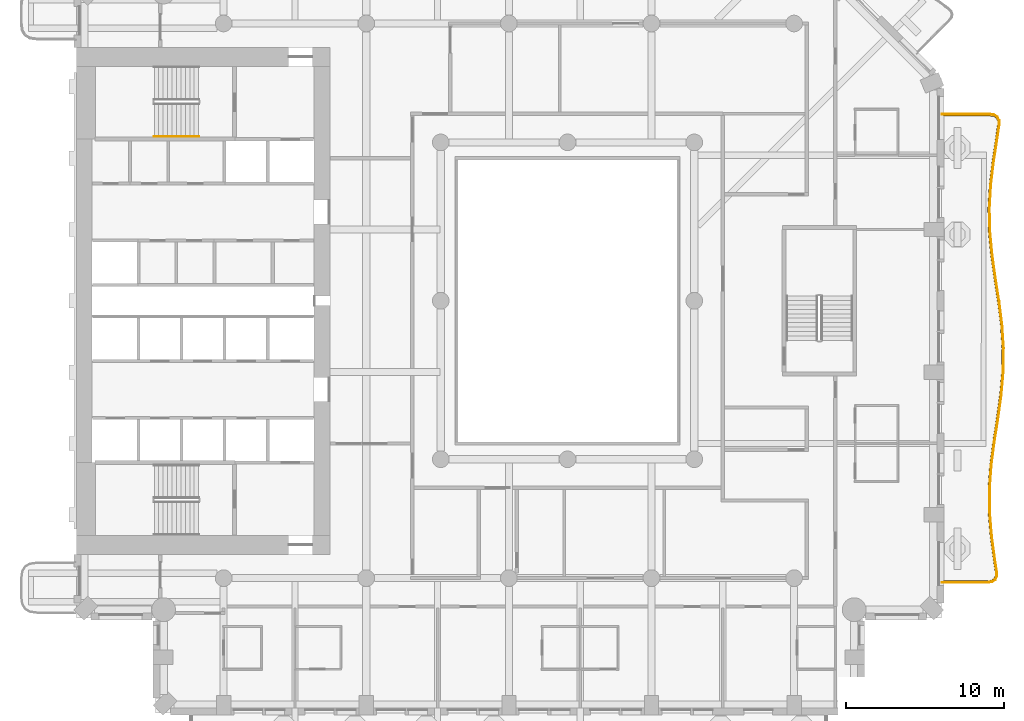
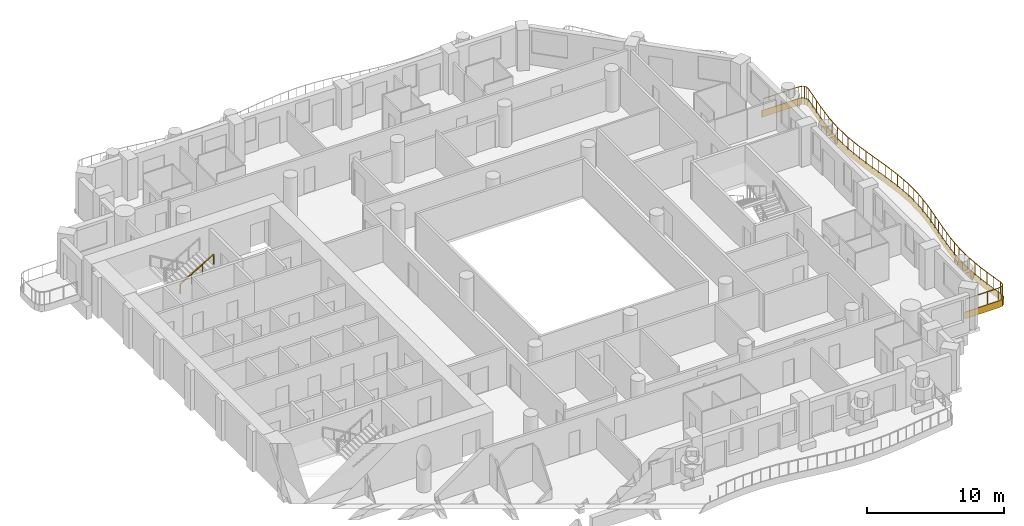
# One storey, part 16 of 20: 2 railings, 1 covering.
"""IFC4 building model written with IfcOpenShell, lengths in metres."""

from ifc_helpers import new_model, si_unit, direction, frame, origin, origin_2d, place, context, subcontext, project, spatial, polyline, rectangle, outline, extrude, material, layer, layer_set, type_object, element, save


model = new_model("IFC4")

# Units and contexts
model_context = context("Model", 3, precision=1e-05, world=origin(), true_north=direction((0.0, 1.0)))
body_context = subcontext(model_context, "Body", "Model", "MODEL_VIEW")
ifc_project = project(units=[si_unit("LENGTHUNIT", "METRE"), si_unit("AREAUNIT", "SQUARE_METRE"), si_unit("VOLUMEUNIT", "CUBIC_METRE"), si_unit("PLANEANGLEUNIT", "RADIAN"), si_unit("MASSUNIT", "GRAM", prefix="KILO")], contexts=[model_context])

# Site, building, storey
site_placement = place(None, origin())
site = spatial("IfcSite", under=ifc_project, at=site_placement, CompositionType="ELEMENT")
building_placement = place(site_placement, origin())
building = spatial("IfcBuilding", under=site, at=building_placement, Name="Cypress Arch Tower", CompositionType="ELEMENT")
storey_placement = place(building_placement, frame((0.0, 0.0, 123.89990234375)))
storey = spatial("IfcBuildingStorey", under=building, at=storey_placement, Name="L26", CompositionType="ELEMENT", Elevation=123.89990234375)

# Covering
ifc_material_1 = material(Name="White powder-coated aluminium fascia", Category="aluminium")
ifc_layer = layer(ifc_material_1, 0.050048828125)
ifc_layer_set = layer_set([ifc_layer], Name="Balcony fascia BF50")
covering_type = type_object("IfcCoveringType", Name="Balcony fascia BF50", PredefinedType="CLADDING", material=ifc_layer_set)
covering_placement = place(storey_placement, frame((0.0, 0.0, -0.599853515625)))
element("IfcCovering", 1, at=covering_placement, inside=storey, type_object=covering_type, Name="Balcony fascia L26-A06", PredefinedType="CLADDING", context=body_context, shape_type="SweptSolid", body=[
    extrude(outline(polyline([(27.640869140625, 11.800048828125), (27.94287109375, 11.75634765625), (28.155517578125, 11.6181640625), (28.26171875, 11.387451171875), (28.261474609375, 11.08251953125), (28.142578125, 10.267578125), (27.91650390625, 8.793212890625), (27.738037109375, 7.320556640625), (27.6533203125, 5.84912109375), (27.684326171875, 4.3779296875), (27.822509765625, 2.90576171875), (28.032958984375, 1.432373046875), (28.2607421875, -0.04296875), (28.447021484375, -1.520263671875), (28.543212890625, -2.998779296875), (28.524169921875, -4.4775390625), (28.39501953125, -5.95556640625), (28.189208984375, -7.432373046875), (27.96044921875, -8.906982421875), (27.76806640625, -10.380126953125), (27.66162109375, -11.851806640625), (27.66845703125, -13.32275390625), (27.787109375, -14.794677734375), (27.98681640625, -16.267822265625), (28.11328125, -17.08203125), (28.11669921875, -17.38720703125), (28.01220703125, -17.617919921875), (27.80029296875, -17.75634765625), (27.498291015625, -17.800048828125), (24.60107421875, -17.800048828125), (24.60107421875, -17.75), (27.494873046875, -17.75), (27.7822265625, -17.70849609375), (27.97265625, -17.583984375), (28.06640625, -17.376708984375), (28.0634765625, -17.086181640625), (27.937255859375, -16.27490234375), (27.7373046875, -14.800048828125), (27.61865234375, -13.324951171875), (27.611572265625, -11.85009765625), (27.71826171875, -10.375), (27.910888671875, -8.89990234375), (28.1396484375, -7.425048828125), (28.34521484375, -5.949951171875), (28.47412109375, -4.47509765625), (28.4931640625, -3.0), (28.397216796875, -1.52490234375), (28.211181640625, -0.050048828125), (27.9833984375, 1.425048828125), (27.77294921875, 2.89990234375), (27.63427734375, 4.375), (27.603271484375, 5.85009765625), (27.688232421875, 7.324951171875), (27.866943359375, 8.800048828125), (28.093017578125, 10.27490234375), (28.21142578125, 11.086181640625), (28.211669921875, 11.376708984375), (28.1162109375, 11.583984375), (27.9248046875, 11.70849609375), (27.637451171875, 11.75), (24.60107421875, 11.75), (24.60107421875, 11.800048828125), (27.640869140625, 11.800048828125)])), origin(), (0.0, 0.0, 1.0), 0.599853515625),
])

# Railings
ifc_material_2 = material(Name="Powder-coated steel posts and rods, 100 mm clear between rods", Category="steel")
railing_type_1 = type_object("IfcRailingType", Name="Balcony guard GR1100", PredefinedType="GUARDRAIL", material=ifc_material_2)
railing_1_placement = place(storey_placement, frame((24.75, 11.699951171875, 0.0)))
element("IfcRailing", 2, at=railing_1_placement, inside=storey, type_object=railing_type_1, Name="Balcony guard L26-A06", PredefinedType="GUARDRAIL", context=body_context, shape_type="SweptSolid", body=[
    extrude(rectangle(XDim=0.050048828125, YDim=0.050048828125, at=origin_2d()), frame((0.0, 0.0, 1.0751953125), z_axis=(1.0, 0.0, 0.0), x_axis=(0.0, 1.0, 0.0)), (0.0, 0.0, 1.0), 2.8837890625),
    extrude(rectangle(XDim=0.050048828125, YDim=0.050048828125, at=origin_2d()), frame((2.8837890625, 0.0, 1.0751953125), z_axis=(0.989789507287, -0.142536771622, 0.0), x_axis=(0.142536771622, 0.989789507287, 0.0)), (0.0, 0.0, 1.0), 0.27587890625),
    extrude(rectangle(XDim=0.050048828125, YDim=0.050048828125, at=origin_2d()), frame((3.15673828125, -0.039306640625, 1.0751953125), z_axis=(0.838471099644, -0.544946066196, 0.0), x_axis=(0.544946066196, 0.838471099644, 0.0)), (0.0, 0.0, 1.0), 0.202880859375),
    extrude(rectangle(XDim=0.050048828125, YDim=0.050048828125, at=origin_2d()), frame((3.326904296875, -0.14990234375, 1.0751953125), z_axis=(0.418600445014, -0.908170505706, 0.0), x_axis=(0.908170505706, 0.418600445014, 0.0)), (0.0, 0.0, 1.0), 0.202880859375),
    extrude(rectangle(XDim=0.050048828125, YDim=0.050048828125, at=origin_2d()), frame((3.411865234375, -0.334228515625, 1.0751953125), z_axis=(-0.001769908732, -0.99999843371, 0.0), x_axis=(0.99999843371, -0.001769908732, 0.0)), (0.0, 0.0, 1.0), 0.27587890625),
    extrude(rectangle(XDim=0.050048828125, YDim=0.050048828125, at=origin_2d()), frame((3.411376953125, -0.610107421875, 1.0751953125), z_axis=(-0.144227539522, -0.989544550207, 0.0), x_axis=(0.989544550207, -0.144227539522, 0.0)), (0.0, 0.0, 1.0), 0.81591796875),
    extrude(rectangle(XDim=0.050048828125, YDim=0.050048828125, at=origin_2d()), frame((3.293701171875, -1.41748046875, 1.0751953125), z_axis=(-0.151602467582, -0.988441546994, 0.0), x_axis=(0.988441546994, -0.151602467582, 0.0)), (0.0, 0.0, 1.0), 1.492919921875),
    extrude(rectangle(XDim=0.050048828125, YDim=0.050048828125, at=origin_2d()), frame((3.0673828125, -2.89306640625, 1.0751953125), z_axis=(-0.120238289626, -0.992745059775, 0.0), x_axis=(0.992745059775, -0.120238289626, 0.0)), (0.0, 0.0, 1.0), 1.48828125),
    extrude(rectangle(XDim=0.050048828125, YDim=0.050048828125, at=origin_2d()), frame((2.888427734375, -4.37060546875, 1.0751953125), z_axis=(-0.05753334071, -0.998343585499, 0.0), x_axis=(0.998343585499, -0.05753334071, 0.0)), (0.0, 0.0, 1.0), 1.48095703125),
    extrude(rectangle(XDim=0.050048828125, YDim=0.050048828125, at=origin_2d()), frame((2.80322265625, -5.84912109375, 1.0751953125), z_axis=(0.020962868149, -0.999780254936, 0.0), x_axis=(0.999780254936, 0.020962868149, 0.0)), (0.0, 0.0, 1.0), 1.47900390625),
    extrude(rectangle(XDim=0.050048828125, YDim=0.050048828125, at=origin_2d()), frame((2.834228515625, -7.327880859375, 1.0751953125), z_axis=(0.093738062384, -0.99559689416, 0.0), x_axis=(0.99559689416, 0.093738062384, 0.0)), (0.0, 0.0, 1.0), 1.484619140625),
    extrude(rectangle(XDim=0.050048828125, YDim=0.050048828125, at=origin_2d()), frame((2.973388671875, -8.805908203125, 1.0751953125), z_axis=(0.141283836423, -0.989969129602, 0.0), x_axis=(0.989969129602, 0.141283836423, 0.0)), (0.0, 0.0, 1.0), 1.4912109375),
    extrude(rectangle(XDim=0.050048828125, YDim=0.050048828125, at=origin_2d()), frame((3.18408203125, -10.2822265625, 1.0751953125), z_axis=(0.152659626636, -0.988278826241, 0.0), x_axis=(0.988278826241, 0.152659626636, 0.0)), (0.0, 0.0, 1.0), 1.4921875),
    extrude(rectangle(XDim=0.050048828125, YDim=0.050048828125, at=origin_2d()), frame((3.411865234375, -11.7568359375, 1.0751953125), z_axis=(0.124985987941, -0.992158506902, 0.0), x_axis=(0.992158506902, 0.124985987941, 0.0)), (0.0, 0.0, 1.0), 1.484619140625),
    extrude(rectangle(XDim=0.050048828125, YDim=0.050048828125, at=origin_2d()), frame((3.597412109375, -13.229736328125, 1.0751953125), z_axis=(0.064903515062, -0.997891544073, 0.0), x_axis=(0.997891544073, 0.064903515062, 0.0)), (0.0, 0.0, 1.0), 1.474609375),
    extrude(rectangle(XDim=0.050048828125, YDim=0.050048828125, at=origin_2d()), frame((3.693115234375, -14.701171875, 1.0751953125), z_axis=(-0.012776919122, -0.999918371837, 0.0), x_axis=(0.999918371837, -0.012776919122, 0.0)), (0.0, 0.0, 1.0), 1.47119140625),
    extrude(rectangle(XDim=0.050048828125, YDim=0.050048828125, at=origin_2d()), frame((3.67431640625, -16.17236328125, 1.0751953125), z_axis=(-0.08724278944, -0.996187078661, 0.0), x_axis=(0.996187078661, -0.08724278944, 0.0)), (0.0, 0.0, 1.0), 1.4775390625),
    extrude(rectangle(XDim=0.050048828125, YDim=0.050048828125, at=origin_2d()), frame((3.54541015625, -17.644287109375, 1.0751953125), z_axis=(-0.137859081483, -0.990451853273, 0.0), x_axis=(0.990451853273, -0.137859081483, 0.0)), (0.0, 0.0, 1.0), 1.487548828125),
    extrude(rectangle(XDim=0.050048828125, YDim=0.050048828125, at=origin_2d()), frame((3.34033203125, -19.11767578125, 1.0751953125), z_axis=(-0.15340892067, -0.98816279178, 0.0), x_axis=(0.98816279178, -0.15340892067, 0.0)), (0.0, 0.0, 1.0), 1.49267578125),
    extrude(rectangle(XDim=0.050048828125, YDim=0.050048828125, at=origin_2d()), frame((3.111328125, -20.5927734375, 1.0751953125), z_axis=(-0.129479318503, -0.991582122711, 0.0), x_axis=(0.991582122711, -0.129479318503, 0.0)), (0.0, 0.0, 1.0), 1.489501953125),
    extrude(rectangle(XDim=0.050048828125, YDim=0.050048828125, at=origin_2d()), frame((2.91845703125, -22.06982421875, 1.0751953125), z_axis=(-0.072136543506, -0.997394765923, 0.0), x_axis=(0.997394765923, -0.072136543506, 0.0)), (0.0, 0.0, 1.0), 1.482421875),
    extrude(rectangle(XDim=0.050048828125, YDim=0.050048828125, at=origin_2d()), frame((2.8115234375, -23.54833984375, 1.0751953125), z_axis=(0.004787793894, -0.999988538449, 0.0), x_axis=(0.999988538449, 0.004787793894, 0.0)), (0.0, 0.0, 1.0), 1.478759765625),
    extrude(rectangle(XDim=0.050048828125, YDim=0.050048828125, at=origin_2d()), frame((2.818603515625, -25.027099609375, 1.0751953125), z_axis=(0.080334068037, -0.996767995831, 0.0), x_axis=(0.996767995831, 0.080334068037, 0.0)), (0.0, 0.0, 1.0), 1.483154296875),
    extrude(rectangle(XDim=0.050048828125, YDim=0.050048828125, at=origin_2d()), frame((2.937744140625, -26.50537109375, 1.0751953125), z_axis=(0.134330955464, -0.990936523903, 0.0), x_axis=(0.990936523903, 0.134330955464, 0.0)), (0.0, 0.0, 1.0), 1.490234375),
    extrude(rectangle(XDim=0.050048828125, YDim=0.050048828125, at=origin_2d()), frame((3.137939453125, -27.982177734375, 1.0751953125), z_axis=(0.153447904468, -0.98815673889, 0.0), x_axis=(0.98815673889, 0.153447904468, 0.0)), (0.0, 0.0, 1.0), 0.81787109375),
    extrude(rectangle(XDim=0.050048828125, YDim=0.050048828125, at=origin_2d()), frame((3.263427734375, -28.790283203125, 1.0751953125), z_axis=(0.010618870282, -0.999943618208, 0.0), x_axis=(0.999943618208, 0.010618870282, 0.0)), (0.0, 0.0, 1.0), 0.27587890625),
    extrude(rectangle(XDim=0.050048828125, YDim=0.050048828125, at=origin_2d()), frame((3.266357421875, -29.066162109375, 1.0751953125), z_axis=(-0.412072331068, -0.911151136732, 0.0), x_axis=(0.911151136732, -0.412072331068, 0.0)), (0.0, 0.0, 1.0), 0.2021484375),
    extrude(rectangle(XDim=0.050048828125, YDim=0.050048828125, at=origin_2d()), frame((3.18310546875, -29.250244140625, 1.0751953125), z_axis=(-0.837225286377, -0.546858135032, 0.0), x_axis=(0.546858135032, -0.837225286377, 0.0)), (0.0, 0.0, 1.0), 0.201904296875),
    extrude(rectangle(XDim=0.050048828125, YDim=0.050048828125, at=origin_2d()), frame((3.01416015625, -29.360595703125, 1.0751953125), z_axis=(-0.989789507287, -0.142536771622, 0.0), x_axis=(0.142536771622, -0.989789507287, 0.0)), (0.0, 0.0, 1.0), 0.27587890625),
    extrude(rectangle(XDim=0.050048828125, YDim=0.050048828125, at=origin_2d()), frame((2.7412109375, -29.39990234375, 1.0751953125), z_axis=(-1.0, 0.0, 0.0), x_axis=(0.0, -1.0, 0.0)), (0.0, 0.0, 1.0), 2.7412109375),
    extrude(rectangle(XDim=0.0400390625, YDim=0.0400390625, at=origin_2d()), origin(), (0.0, 0.0, 1.0), 1.050048828125),
    extrude(rectangle(XDim=0.0400390625, YDim=0.0400390625, at=origin_2d()), frame((0.961181640625, 0.0, 0.0)), (0.0, 0.0, 1.0), 1.050048828125),
    extrude(rectangle(XDim=0.0400390625, YDim=0.0400390625, at=origin_2d()), frame((1.922607421875, 0.0, 0.0)), (0.0, 0.0, 1.0), 1.050048828125),
    extrude(rectangle(XDim=0.0400390625, YDim=0.0400390625, at=origin_2d()), frame((2.8837890625, 0.0, 0.0)), (0.0, 0.0, 1.0), 1.050048828125),
    extrude(rectangle(XDim=0.0400390625, YDim=0.0400390625, at=origin_2d()), frame((3.15673828125, -0.039306640625, 0.0)), (0.0, 0.0, 1.0), 1.050048828125),
    extrude(rectangle(XDim=0.0400390625, YDim=0.0400390625, at=origin_2d()), frame((3.326904296875, -0.14990234375, 0.0)), (0.0, 0.0, 1.0), 1.050048828125),
    extrude(rectangle(XDim=0.0400390625, YDim=0.0400390625, at=origin_2d()), frame((3.411865234375, -0.334228515625, 0.0)), (0.0, 0.0, 1.0), 1.050048828125),
    extrude(rectangle(XDim=0.0400390625, YDim=0.0400390625, at=origin_2d()), frame((3.411376953125, -0.610107421875, 0.0)), (0.0, 0.0, 1.0), 1.050048828125),
    extrude(rectangle(XDim=0.0400390625, YDim=0.0400390625, at=origin_2d()), frame((3.293701171875, -1.41748046875, 0.0)), (0.0, 0.0, 1.0), 1.050048828125),
    extrude(rectangle(XDim=0.0400390625, YDim=0.0400390625, at=origin_2d()), frame((3.1806640625, -2.1552734375, 0.0)), (0.0, 0.0, 1.0), 1.050048828125),
    extrude(rectangle(XDim=0.0400390625, YDim=0.0400390625, at=origin_2d()), frame((3.0673828125, -2.89306640625, 0.0)), (0.0, 0.0, 1.0), 1.050048828125),
    extrude(rectangle(XDim=0.0400390625, YDim=0.0400390625, at=origin_2d()), frame((2.97802734375, -3.6318359375, 0.0)), (0.0, 0.0, 1.0), 1.050048828125),
    extrude(rectangle(XDim=0.0400390625, YDim=0.0400390625, at=origin_2d()), frame((2.888427734375, -4.37060546875, 0.0)), (0.0, 0.0, 1.0), 1.050048828125),
    extrude(rectangle(XDim=0.0400390625, YDim=0.0400390625, at=origin_2d()), frame((2.845703125, -5.10986328125, 0.0)), (0.0, 0.0, 1.0), 1.050048828125),
    extrude(rectangle(XDim=0.0400390625, YDim=0.0400390625, at=origin_2d()), frame((2.80322265625, -5.84912109375, 0.0)), (0.0, 0.0, 1.0), 1.050048828125),
    extrude(rectangle(XDim=0.0400390625, YDim=0.0400390625, at=origin_2d()), frame((2.81884765625, -6.58837890625, 0.0)), (0.0, 0.0, 1.0), 1.050048828125),
    extrude(rectangle(XDim=0.0400390625, YDim=0.0400390625, at=origin_2d()), frame((2.834228515625, -7.327880859375, 0.0)), (0.0, 0.0, 1.0), 1.050048828125),
    extrude(rectangle(XDim=0.0400390625, YDim=0.0400390625, at=origin_2d()), frame((2.90380859375, -8.06689453125, 0.0)), (0.0, 0.0, 1.0), 1.050048828125),
    extrude(rectangle(XDim=0.0400390625, YDim=0.0400390625, at=origin_2d()), frame((2.973388671875, -8.805908203125, 0.0)), (0.0, 0.0, 1.0), 1.050048828125),
    extrude(rectangle(XDim=0.0400390625, YDim=0.0400390625, at=origin_2d()), frame((3.07861328125, -9.5439453125, 0.0)), (0.0, 0.0, 1.0), 1.050048828125),
    extrude(rectangle(XDim=0.0400390625, YDim=0.0400390625, at=origin_2d()), frame((3.18408203125, -10.2822265625, 0.0)), (0.0, 0.0, 1.0), 1.050048828125),
    extrude(rectangle(XDim=0.0400390625, YDim=0.0400390625, at=origin_2d()), frame((3.2978515625, -11.01953125, 0.0)), (0.0, 0.0, 1.0), 1.050048828125),
    extrude(rectangle(XDim=0.0400390625, YDim=0.0400390625, at=origin_2d()), frame((3.411865234375, -11.7568359375, 0.0)), (0.0, 0.0, 1.0), 1.050048828125),
    extrude(rectangle(XDim=0.0400390625, YDim=0.0400390625, at=origin_2d()), frame((3.504638671875, -12.4931640625, 0.0)), (0.0, 0.0, 1.0), 1.050048828125),
    extrude(rectangle(XDim=0.0400390625, YDim=0.0400390625, at=origin_2d()), frame((3.597412109375, -13.229736328125, 0.0)), (0.0, 0.0, 1.0), 1.050048828125),
    extrude(rectangle(XDim=0.0400390625, YDim=0.0400390625, at=origin_2d()), frame((3.645263671875, -13.96533203125, 0.0)), (0.0, 0.0, 1.0), 1.050048828125),
    extrude(rectangle(XDim=0.0400390625, YDim=0.0400390625, at=origin_2d()), frame((3.693115234375, -14.701171875, 0.0)), (0.0, 0.0, 1.0), 1.050048828125),
    extrude(rectangle(XDim=0.0400390625, YDim=0.0400390625, at=origin_2d()), frame((3.68359375, -15.436767578125, 0.0)), (0.0, 0.0, 1.0), 1.050048828125),
    extrude(rectangle(XDim=0.0400390625, YDim=0.0400390625, at=origin_2d()), frame((3.67431640625, -16.17236328125, 0.0)), (0.0, 0.0, 1.0), 1.050048828125),
    extrude(rectangle(XDim=0.0400390625, YDim=0.0400390625, at=origin_2d()), frame((3.60986328125, -16.908203125, 0.0)), (0.0, 0.0, 1.0), 1.050048828125),
    extrude(rectangle(XDim=0.0400390625, YDim=0.0400390625, at=origin_2d()), frame((3.54541015625, -17.644287109375, 0.0)), (0.0, 0.0, 1.0), 1.050048828125),
    extrude(rectangle(XDim=0.0400390625, YDim=0.0400390625, at=origin_2d()), frame((3.44287109375, -18.380859375, 0.0)), (0.0, 0.0, 1.0), 1.050048828125),
    extrude(rectangle(XDim=0.0400390625, YDim=0.0400390625, at=origin_2d()), frame((3.34033203125, -19.11767578125, 0.0)), (0.0, 0.0, 1.0), 1.050048828125),
    extrude(rectangle(XDim=0.0400390625, YDim=0.0400390625, at=origin_2d()), frame((3.225830078125, -19.855224609375, 0.0)), (0.0, 0.0, 1.0), 1.050048828125),
    extrude(rectangle(XDim=0.0400390625, YDim=0.0400390625, at=origin_2d()), frame((3.111328125, -20.5927734375, 0.0)), (0.0, 0.0, 1.0), 1.050048828125),
    extrude(rectangle(XDim=0.0400390625, YDim=0.0400390625, at=origin_2d()), frame((3.014892578125, -21.331298828125, 0.0)), (0.0, 0.0, 1.0), 1.050048828125),
    extrude(rectangle(XDim=0.0400390625, YDim=0.0400390625, at=origin_2d()), frame((2.91845703125, -22.06982421875, 0.0)), (0.0, 0.0, 1.0), 1.050048828125),
    extrude(rectangle(XDim=0.0400390625, YDim=0.0400390625, at=origin_2d()), frame((2.864990234375, -22.80908203125, 0.0)), (0.0, 0.0, 1.0), 1.050048828125),
    extrude(rectangle(XDim=0.0400390625, YDim=0.0400390625, at=origin_2d()), frame((2.8115234375, -23.54833984375, 0.0)), (0.0, 0.0, 1.0), 1.050048828125),
    extrude(rectangle(XDim=0.0400390625, YDim=0.0400390625, at=origin_2d()), frame((2.81494140625, -24.28759765625, 0.0)), (0.0, 0.0, 1.0), 1.050048828125),
    extrude(rectangle(XDim=0.0400390625, YDim=0.0400390625, at=origin_2d()), frame((2.818603515625, -25.027099609375, 0.0)), (0.0, 0.0, 1.0), 1.050048828125),
    extrude(rectangle(XDim=0.0400390625, YDim=0.0400390625, at=origin_2d()), frame((2.878173828125, -25.76611328125, 0.0)), (0.0, 0.0, 1.0), 1.050048828125),
    extrude(rectangle(XDim=0.0400390625, YDim=0.0400390625, at=origin_2d()), frame((2.937744140625, -26.50537109375, 0.0)), (0.0, 0.0, 1.0), 1.050048828125),
    extrude(rectangle(XDim=0.0400390625, YDim=0.0400390625, at=origin_2d()), frame((3.037841796875, -27.24365234375, 0.0)), (0.0, 0.0, 1.0), 1.050048828125),
    extrude(rectangle(XDim=0.0400390625, YDim=0.0400390625, at=origin_2d()), frame((3.137939453125, -27.982177734375, 0.0)), (0.0, 0.0, 1.0), 1.050048828125),
    extrude(rectangle(XDim=0.0400390625, YDim=0.0400390625, at=origin_2d()), frame((3.263427734375, -28.790283203125, 0.0)), (0.0, 0.0, 1.0), 1.050048828125),
    extrude(rectangle(XDim=0.0400390625, YDim=0.0400390625, at=origin_2d()), frame((3.266357421875, -29.066162109375, 0.0)), (0.0, 0.0, 1.0), 1.050048828125),
    extrude(rectangle(XDim=0.0400390625, YDim=0.0400390625, at=origin_2d()), frame((3.18310546875, -29.250244140625, 0.0)), (0.0, 0.0, 1.0), 1.050048828125),
    extrude(rectangle(XDim=0.0400390625, YDim=0.0400390625, at=origin_2d()), frame((3.01416015625, -29.360595703125, 0.0)), (0.0, 0.0, 1.0), 1.050048828125),
    extrude(rectangle(XDim=0.0400390625, YDim=0.0400390625, at=origin_2d()), frame((2.7412109375, -29.39990234375, 0.0)), (0.0, 0.0, 1.0), 1.050048828125),
    extrude(rectangle(XDim=0.0400390625, YDim=0.0400390625, at=origin_2d()), frame((1.827392578125, -29.39990234375, 0.0)), (0.0, 0.0, 1.0), 1.050048828125),
    extrude(rectangle(XDim=0.0400390625, YDim=0.0400390625, at=origin_2d()), frame((0.913818359375, -29.39990234375, 0.0)), (0.0, 0.0, 1.0), 1.050048828125),
    extrude(rectangle(XDim=0.0400390625, YDim=0.0400390625, at=origin_2d()), frame((0.0, -29.39990234375, 0.0)), (0.0, 0.0, 1.0), 1.050048828125),
])
ifc_material_3 = material(Name="Black powder-coated steel square bar 48 mm", Category="steel")
railing_type_2 = type_object("IfcRailingType", Name="Stair handrail HR1", PredefinedType="HANDRAIL", material=ifc_material_3)
railing_2_placement = place(storey_placement, frame((-25.074951171875, 10.375, 1.963623046875)))
element("IfcRailing", 3, at=railing_2_placement, inside=storey, type_object=railing_type_2, Name="L26 B stair handrail 2", PredefinedType="HANDRAIL", context=body_context, shape_type="SweptSolid", body=[
    extrude(rectangle(XDim=0.048095703125, YDim=0.048095703125, at=origin_2d()), frame((0.0, 0.0, 0.8759765625), z_axis=(0.863360870873, 0.0, 0.504586966384), x_axis=(0.0, 1.0, 0.0)), (0.0, 0.0, 1.0), 3.2431640625),
    extrude(rectangle(XDim=0.0419921875, YDim=0.0419921875, at=origin_2d()), origin(), (0.0, 0.0, 1.0), 0.851806640625),
    extrude(rectangle(XDim=0.0419921875, YDim=0.0419921875, at=origin_2d()), frame((0.933349609375, 0.0, 0.54541015625)), (0.0, 0.0, 1.0), 0.851806640625),
    extrude(rectangle(XDim=0.0419921875, YDim=0.0419921875, at=origin_2d()), frame((1.86669921875, 0.0, 1.091064453125)), (0.0, 0.0, 1.0), 0.851806640625),
    extrude(rectangle(XDim=0.0419921875, YDim=0.0419921875, at=origin_2d()), frame((2.800048828125, 0.0, 1.636474609375)), (0.0, 0.0, 1.0), 0.851806640625),
])

save(model, "model.ifc")
